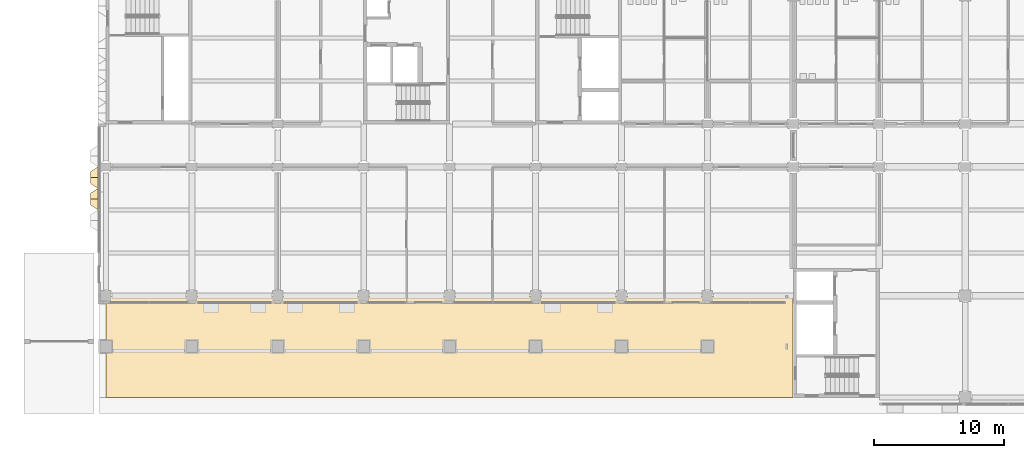
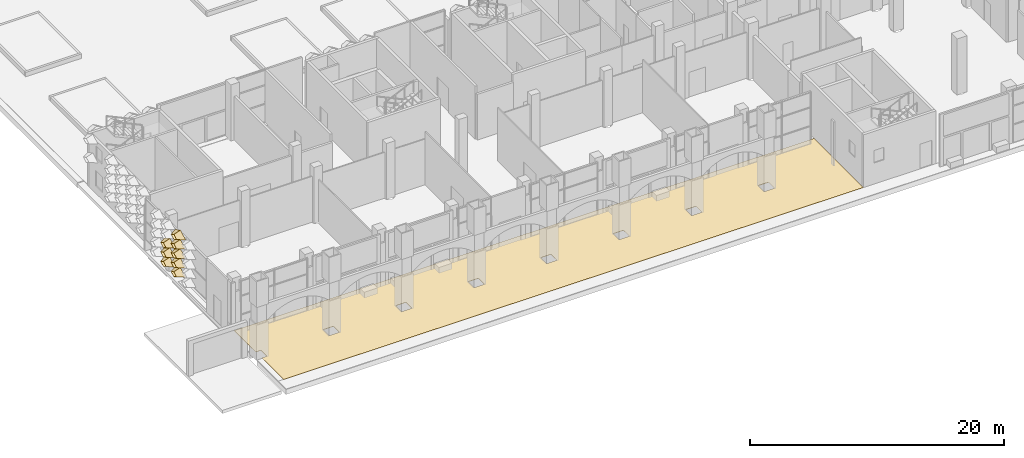
# One storey, part 45 of 85: 9 coverings.
"""IFC4 building model written with IfcOpenShell, lengths in metres."""

from ifc_helpers import new_model, entity, si_unit, direction, frame, origin, place, context, subcontext, project, spatial, polyline, outline, extrude, material, layer, layer_set, type_object, element, save


model = new_model("IFC4")

# Units and contexts
model_context = context("Model", 3, precision=1e-05, world=origin(), true_north=direction((0.0, 1.0)))
body_context = subcontext(model_context, "Body", "Model", "MODEL_VIEW")
ifc_project = project(units=[si_unit("LENGTHUNIT", "METRE"), si_unit("AREAUNIT", "SQUARE_METRE"), si_unit("VOLUMEUNIT", "CUBIC_METRE"), si_unit("PLANEANGLEUNIT", "RADIAN"), si_unit("MASSUNIT", "GRAM", prefix="KILO")], contexts=[model_context])

# Site, building, storey
site_placement = place(None, origin())
site = spatial("IfcSite", under=ifc_project, at=site_placement, CompositionType="ELEMENT")
building_placement = place(site_placement, origin())
building = spatial("IfcBuilding", under=site, at=building_placement, Name="Lantern Court Research Institute", CompositionType="ELEMENT")
storey_placement = place(building_placement, origin())
storey = spatial("IfcBuildingStorey", under=building, at=storey_placement, Name="L00", CompositionType="ELEMENT", Elevation=0.0)

# Coverings
ifc_material_1 = material(Name="Granite flags", Category="masonry")
ifc_layer_1 = layer(ifc_material_1, 0.0400390625)
ifc_layer_set_1 = layer_set([ifc_layer_1], Name="Granite flags")
covering_type_1 = type_object("IfcCoveringType", Name="Arcade paving 40 mm", PredefinedType="FLOORING", material=ifc_layer_set_1)
covering_1_placement = place(storey_placement, origin())
element("IfcCovering", 1, at=covering_1_placement, inside=storey, type_object=covering_type_1, Name="Arcade paving 1", PredefinedType="FLOORING", context=body_context, shape_type="SweptSolid", body=[
    extrude(outline(polyline([(0.0, -4.3701171875), (0.449951171875, -4.3701171875), (0.451904296875, -4.3701171875), (0.4541015625, -4.3701171875), (0.4560546875, -4.368896484375), (0.4580078125, -4.367919921875), (0.458984375, -4.367919921875), (0.4609375, -4.366943359375), (0.462890625, -4.364990234375), (0.464111328125, -4.364013671875), (0.465087890625, -4.363037109375), (0.467041015625, -4.361083984375), (0.468017578125, -4.35888671875), (0.468017578125, -4.35791015625), (0.468994140625, -4.35595703125), (0.469970703125, -4.35400390625), (0.469970703125, -4.35205078125), (0.469970703125, -4.35009765625), (0.469970703125, -3.449951171875), (0.469970703125, -3.447998046875), (0.469970703125, -3.446044921875), (0.468994140625, -3.444091796875), (0.468017578125, -3.44189453125), (0.468017578125, -3.44091796875), (0.467041015625, -3.43896484375), (0.465087890625, -3.43701171875), (0.464111328125, -3.43603515625), (0.462890625, -3.43505859375), (0.4609375, -3.43310546875), (0.458984375, -3.431884765625), (0.4580078125, -3.431884765625), (0.4560546875, -3.430908203125), (0.4541015625, -3.429931640625), (0.451904296875, -3.429931640625), (0.449951171875, -3.429931640625), (0.0, -3.429931640625), (0.0, -0.02001953125), (52.780029296875, -0.02001953125), (52.780029296875, -7.800048828125), (0.0, -7.800048828125), (0.0, -4.3701171875)]), holes=[polyline([(46.669921875, -3.449951171875), (46.669921875, -3.447998046875), (46.669921875, -3.446044921875), (46.6689453125, -3.444091796875), (46.66796875, -3.44189453125), (46.66796875, -3.44091796875), (46.6669921875, -3.43896484375), (46.6650390625, -3.43701171875), (46.6640625, -3.43603515625), (46.6630859375, -3.43505859375), (46.660888671875, -3.43310546875), (46.658935546875, -3.431884765625), (46.657958984375, -3.431884765625), (46.656005859375, -3.430908203125), (46.654052734375, -3.429931640625), (46.652099609375, -3.429931640625), (46.64990234375, -3.429931640625), (45.75, -3.429931640625), (45.748046875, -3.429931640625), (45.74609375, -3.429931640625), (45.743896484375, -3.430908203125), (45.741943359375, -3.431884765625), (45.740966796875, -3.431884765625), (45.739013671875, -3.43310546875), (45.737060546875, -3.43505859375), (45.736083984375, -3.43603515625), (45.735107421875, -3.43701171875), (45.73291015625, -3.43896484375), (45.73193359375, -3.44091796875), (45.73193359375, -3.44189453125), (45.73095703125, -3.444091796875), (45.72998046875, -3.446044921875), (45.72998046875, -3.447998046875), (45.72998046875, -3.449951171875), (45.72998046875, -4.35009765625), (45.72998046875, -4.35205078125), (45.72998046875, -4.35400390625), (45.73095703125, -4.35595703125), (45.73193359375, -4.35791015625), (45.73193359375, -4.35888671875), (45.73291015625, -4.361083984375), (45.735107421875, -4.363037109375), (45.736083984375, -4.364013671875), (45.737060546875, -4.364990234375), (45.739013671875, -4.366943359375), (45.740966796875, -4.367919921875), (45.741943359375, -4.367919921875), (45.743896484375, -4.368896484375), (45.74609375, -4.3701171875), (45.748046875, -4.3701171875), (45.75, -4.3701171875), (46.64990234375, -4.3701171875), (46.652099609375, -4.3701171875), (46.654052734375, -4.3701171875), (46.656005859375, -4.368896484375), (46.657958984375, -4.367919921875), (46.658935546875, -4.367919921875), (46.660888671875, -4.366943359375), (46.6630859375, -4.364990234375), (46.6640625, -4.364013671875), (46.6650390625, -4.363037109375), (46.6669921875, -4.361083984375), (46.66796875, -4.35888671875), (46.66796875, -4.35791015625), (46.6689453125, -4.35595703125), (46.669921875, -4.35400390625), (46.669921875, -4.35205078125), (46.669921875, -4.35009765625), (46.669921875, -3.449951171875)]), polyline([(40.070068359375, -3.449951171875), (40.070068359375, -3.447998046875), (40.070068359375, -3.446044921875), (40.069091796875, -3.444091796875), (40.068115234375, -3.44189453125), (40.068115234375, -3.44091796875), (40.06689453125, -3.43896484375), (40.06494140625, -3.43701171875), (40.06396484375, -3.43603515625), (40.06298828125, -3.43505859375), (40.06103515625, -3.43310546875), (40.05908203125, -3.431884765625), (40.05810546875, -3.431884765625), (40.055908203125, -3.430908203125), (40.053955078125, -3.429931640625), (40.052001953125, -3.429931640625), (40.050048828125, -3.429931640625), (39.14990234375, -3.429931640625), (39.14794921875, -3.429931640625), (39.14599609375, -3.429931640625), (39.14404296875, -3.430908203125), (39.14208984375, -3.431884765625), (39.14111328125, -3.431884765625), (39.138916015625, -3.43310546875), (39.136962890625, -3.43505859375), (39.135986328125, -3.43603515625), (39.135009765625, -3.43701171875), (39.133056640625, -3.43896484375), (39.132080078125, -3.44091796875), (39.132080078125, -3.44189453125), (39.131103515625, -3.444091796875), (39.1298828125, -3.446044921875), (39.1298828125, -3.447998046875), (39.1298828125, -3.449951171875), (39.1298828125, -4.35009765625), (39.1298828125, -4.35205078125), (39.1298828125, -4.35400390625), (39.131103515625, -4.35595703125), (39.132080078125, -4.35791015625), (39.132080078125, -4.35888671875), (39.133056640625, -4.361083984375), (39.135009765625, -4.363037109375), (39.135986328125, -4.364013671875), (39.136962890625, -4.364990234375), (39.138916015625, -4.366943359375), (39.14111328125, -4.367919921875), (39.14208984375, -4.367919921875), (39.14404296875, -4.368896484375), (39.14599609375, -4.3701171875), (39.14794921875, -4.3701171875), (39.14990234375, -4.3701171875), (40.050048828125, -4.3701171875), (40.052001953125, -4.3701171875), (40.053955078125, -4.3701171875), (40.055908203125, -4.368896484375), (40.05810546875, -4.367919921875), (40.05908203125, -4.367919921875), (40.06103515625, -4.366943359375), (40.06298828125, -4.364990234375), (40.06396484375, -4.364013671875), (40.06494140625, -4.363037109375), (40.06689453125, -4.361083984375), (40.068115234375, -4.35888671875), (40.068115234375, -4.35791015625), (40.069091796875, -4.35595703125), (40.070068359375, -4.35400390625), (40.070068359375, -4.35205078125), (40.070068359375, -4.35009765625), (40.070068359375, -3.449951171875)]), polyline([(33.469970703125, -3.449951171875), (33.469970703125, -3.447998046875), (33.469970703125, -3.446044921875), (33.468994140625, -3.444091796875), (33.468017578125, -3.44189453125), (33.468017578125, -3.44091796875), (33.467041015625, -3.43896484375), (33.465087890625, -3.43701171875), (33.464111328125, -3.43603515625), (33.462890625, -3.43505859375), (33.4609375, -3.43310546875), (33.458984375, -3.431884765625), (33.4580078125, -3.431884765625), (33.4560546875, -3.430908203125), (33.4541015625, -3.429931640625), (33.451904296875, -3.429931640625), (33.449951171875, -3.429931640625), (32.550048828125, -3.429931640625), (32.548095703125, -3.429931640625), (32.5458984375, -3.429931640625), (32.5439453125, -3.430908203125), (32.5419921875, -3.431884765625), (32.541015625, -3.431884765625), (32.5390625, -3.43310546875), (32.537109375, -3.43505859375), (32.535888671875, -3.43603515625), (32.534912109375, -3.43701171875), (32.532958984375, -3.43896484375), (32.531982421875, -3.44091796875), (32.531982421875, -3.44189453125), (32.531005859375, -3.444091796875), (32.530029296875, -3.446044921875), (32.530029296875, -3.447998046875), (32.530029296875, -3.449951171875), (32.530029296875, -4.35009765625), (32.530029296875, -4.35205078125), (32.530029296875, -4.35400390625), (32.531005859375, -4.35595703125), (32.531982421875, -4.35791015625), (32.531982421875, -4.35888671875), (32.532958984375, -4.361083984375), (32.534912109375, -4.363037109375), (32.535888671875, -4.364013671875), (32.537109375, -4.364990234375), (32.5390625, -4.366943359375), (32.541015625, -4.367919921875), (32.5419921875, -4.367919921875), (32.5439453125, -4.368896484375), (32.5458984375, -4.3701171875), (32.548095703125, -4.3701171875), (32.550048828125, -4.3701171875), (33.449951171875, -4.3701171875), (33.451904296875, -4.3701171875), (33.4541015625, -4.3701171875), (33.4560546875, -4.368896484375), (33.4580078125, -4.367919921875), (33.458984375, -4.367919921875), (33.4609375, -4.366943359375), (33.462890625, -4.364990234375), (33.464111328125, -4.364013671875), (33.465087890625, -4.363037109375), (33.467041015625, -4.361083984375), (33.468017578125, -4.35888671875), (33.468017578125, -4.35791015625), (33.468994140625, -4.35595703125), (33.469970703125, -4.35400390625), (33.469970703125, -4.35205078125), (33.469970703125, -4.35009765625), (33.469970703125, -3.449951171875)]), polyline([(26.8701171875, -3.449951171875), (26.8701171875, -3.447998046875), (26.8701171875, -3.446044921875), (26.868896484375, -3.444091796875), (26.867919921875, -3.44189453125), (26.867919921875, -3.44091796875), (26.866943359375, -3.43896484375), (26.864990234375, -3.43701171875), (26.864013671875, -3.43603515625), (26.863037109375, -3.43505859375), (26.861083984375, -3.43310546875), (26.85888671875, -3.431884765625), (26.85791015625, -3.431884765625), (26.85595703125, -3.430908203125), (26.85400390625, -3.429931640625), (26.85205078125, -3.429931640625), (26.85009765625, -3.429931640625), (25.949951171875, -3.429931640625), (25.947998046875, -3.429931640625), (25.946044921875, -3.429931640625), (25.944091796875, -3.430908203125), (25.94189453125, -3.431884765625), (25.94091796875, -3.431884765625), (25.93896484375, -3.43310546875), (25.93701171875, -3.43505859375), (25.93603515625, -3.43603515625), (25.93505859375, -3.43701171875), (25.93310546875, -3.43896484375), (25.931884765625, -3.44091796875), (25.931884765625, -3.44189453125), (25.930908203125, -3.444091796875), (25.929931640625, -3.446044921875), (25.929931640625, -3.447998046875), (25.929931640625, -3.449951171875), (25.929931640625, -4.35009765625), (25.929931640625, -4.35205078125), (25.929931640625, -4.35400390625), (25.930908203125, -4.35595703125), (25.931884765625, -4.35791015625), (25.931884765625, -4.35888671875), (25.93310546875, -4.361083984375), (25.93505859375, -4.363037109375), (25.93603515625, -4.364013671875), (25.93701171875, -4.364990234375), (25.93896484375, -4.366943359375), (25.94091796875, -4.367919921875), (25.94189453125, -4.367919921875), (25.944091796875, -4.368896484375), (25.946044921875, -4.3701171875), (25.947998046875, -4.3701171875), (25.949951171875, -4.3701171875), (26.85009765625, -4.3701171875), (26.85205078125, -4.3701171875), (26.85400390625, -4.3701171875), (26.85595703125, -4.368896484375), (26.85791015625, -4.367919921875), (26.85888671875, -4.367919921875), (26.861083984375, -4.366943359375), (26.863037109375, -4.364990234375), (26.864013671875, -4.364013671875), (26.864990234375, -4.363037109375), (26.866943359375, -4.361083984375), (26.867919921875, -4.35888671875), (26.867919921875, -4.35791015625), (26.868896484375, -4.35595703125), (26.8701171875, -4.35400390625), (26.8701171875, -4.35205078125), (26.8701171875, -4.35009765625), (26.8701171875, -3.449951171875)]), polyline([(20.27001953125, -3.449951171875), (20.27001953125, -3.447998046875), (20.27001953125, -3.446044921875), (20.26904296875, -3.444091796875), (20.26806640625, -3.44189453125), (20.26806640625, -3.44091796875), (20.26708984375, -3.43896484375), (20.264892578125, -3.43701171875), (20.263916015625, -3.43603515625), (20.262939453125, -3.43505859375), (20.260986328125, -3.43310546875), (20.259033203125, -3.431884765625), (20.258056640625, -3.431884765625), (20.256103515625, -3.430908203125), (20.25390625, -3.429931640625), (20.251953125, -3.429931640625), (20.25, -3.429931640625), (19.35009765625, -3.429931640625), (19.347900390625, -3.429931640625), (19.345947265625, -3.429931640625), (19.343994140625, -3.430908203125), (19.342041015625, -3.431884765625), (19.341064453125, -3.431884765625), (19.339111328125, -3.43310546875), (19.3369140625, -3.43505859375), (19.3359375, -3.43603515625), (19.3349609375, -3.43701171875), (19.3330078125, -3.43896484375), (19.33203125, -3.44091796875), (19.33203125, -3.44189453125), (19.3310546875, -3.444091796875), (19.330078125, -3.446044921875), (19.330078125, -3.447998046875), (19.330078125, -3.449951171875), (19.330078125, -4.35009765625), (19.330078125, -4.35205078125), (19.330078125, -4.35400390625), (19.3310546875, -4.35595703125), (19.33203125, -4.35791015625), (19.33203125, -4.35888671875), (19.3330078125, -4.361083984375), (19.3349609375, -4.363037109375), (19.3359375, -4.364013671875), (19.3369140625, -4.364990234375), (19.339111328125, -4.366943359375), (19.341064453125, -4.367919921875), (19.342041015625, -4.367919921875), (19.343994140625, -4.368896484375), (19.345947265625, -4.3701171875), (19.347900390625, -4.3701171875), (19.35009765625, -4.3701171875), (20.25, -4.3701171875), (20.251953125, -4.3701171875), (20.25390625, -4.3701171875), (20.256103515625, -4.368896484375), (20.258056640625, -4.367919921875), (20.259033203125, -4.367919921875), (20.260986328125, -4.366943359375), (20.262939453125, -4.364990234375), (20.263916015625, -4.364013671875), (20.264892578125, -4.363037109375), (20.26708984375, -4.361083984375), (20.26806640625, -4.35888671875), (20.26806640625, -4.35791015625), (20.26904296875, -4.35595703125), (20.27001953125, -4.35400390625), (20.27001953125, -4.35205078125), (20.27001953125, -4.35009765625), (20.27001953125, -3.449951171875)]), polyline([(13.669921875, -3.449951171875), (13.669921875, -3.447998046875), (13.669921875, -3.446044921875), (13.6689453125, -3.444091796875), (13.66796875, -3.44189453125), (13.66796875, -3.44091796875), (13.6669921875, -3.43896484375), (13.6650390625, -3.43701171875), (13.6640625, -3.43603515625), (13.6630859375, -3.43505859375), (13.660888671875, -3.43310546875), (13.658935546875, -3.431884765625), (13.657958984375, -3.431884765625), (13.656005859375, -3.430908203125), (13.654052734375, -3.429931640625), (13.652099609375, -3.429931640625), (13.64990234375, -3.429931640625), (12.75, -3.429931640625), (12.748046875, -3.429931640625), (12.74609375, -3.429931640625), (12.743896484375, -3.430908203125), (12.741943359375, -3.431884765625), (12.740966796875, -3.431884765625), (12.739013671875, -3.43310546875), (12.737060546875, -3.43505859375), (12.736083984375, -3.43603515625), (12.735107421875, -3.43701171875), (12.73291015625, -3.43896484375), (12.73193359375, -3.44091796875), (12.73193359375, -3.44189453125), (12.73095703125, -3.444091796875), (12.72998046875, -3.446044921875), (12.72998046875, -3.447998046875), (12.72998046875, -3.449951171875), (12.72998046875, -4.35009765625), (12.72998046875, -4.35205078125), (12.72998046875, -4.35400390625), (12.73095703125, -4.35595703125), (12.73193359375, -4.35791015625), (12.73193359375, -4.35888671875), (12.73291015625, -4.361083984375), (12.735107421875, -4.363037109375), (12.736083984375, -4.364013671875), (12.737060546875, -4.364990234375), (12.739013671875, -4.366943359375), (12.740966796875, -4.367919921875), (12.741943359375, -4.367919921875), (12.743896484375, -4.368896484375), (12.74609375, -4.3701171875), (12.748046875, -4.3701171875), (12.75, -4.3701171875), (13.64990234375, -4.3701171875), (13.652099609375, -4.3701171875), (13.654052734375, -4.3701171875), (13.656005859375, -4.368896484375), (13.657958984375, -4.367919921875), (13.658935546875, -4.367919921875), (13.660888671875, -4.366943359375), (13.6630859375, -4.364990234375), (13.6640625, -4.364013671875), (13.6650390625, -4.363037109375), (13.6669921875, -4.361083984375), (13.66796875, -4.35888671875), (13.66796875, -4.35791015625), (13.6689453125, -4.35595703125), (13.669921875, -4.35400390625), (13.669921875, -4.35205078125), (13.669921875, -4.35009765625), (13.669921875, -3.449951171875)]), polyline([(7.070068359375, -3.449951171875), (7.070068359375, -3.447998046875), (7.070068359375, -3.446044921875), (7.069091796875, -3.444091796875), (7.068115234375, -3.44189453125), (7.068115234375, -3.44091796875), (7.06689453125, -3.43896484375), (7.06494140625, -3.43701171875), (7.06396484375, -3.43603515625), (7.06298828125, -3.43505859375), (7.06103515625, -3.43310546875), (7.05908203125, -3.431884765625), (7.05810546875, -3.431884765625), (7.055908203125, -3.430908203125), (7.053955078125, -3.429931640625), (7.052001953125, -3.429931640625), (7.050048828125, -3.429931640625), (6.14990234375, -3.429931640625), (6.14794921875, -3.429931640625), (6.14599609375, -3.429931640625), (6.14404296875, -3.430908203125), (6.14208984375, -3.431884765625), (6.14111328125, -3.431884765625), (6.138916015625, -3.43310546875), (6.136962890625, -3.43505859375), (6.135986328125, -3.43603515625), (6.135009765625, -3.43701171875), (6.133056640625, -3.43896484375), (6.132080078125, -3.44091796875), (6.132080078125, -3.44189453125), (6.131103515625, -3.444091796875), (6.1298828125, -3.446044921875), (6.1298828125, -3.447998046875), (6.1298828125, -3.449951171875), (6.1298828125, -4.35009765625), (6.1298828125, -4.35205078125), (6.1298828125, -4.35400390625), (6.131103515625, -4.35595703125), (6.132080078125, -4.35791015625), (6.132080078125, -4.35888671875), (6.133056640625, -4.361083984375), (6.135009765625, -4.363037109375), (6.135986328125, -4.364013671875), (6.136962890625, -4.364990234375), (6.138916015625, -4.366943359375), (6.14111328125, -4.367919921875), (6.14208984375, -4.367919921875), (6.14404296875, -4.368896484375), (6.14599609375, -4.3701171875), (6.14794921875, -4.3701171875), (6.14990234375, -4.3701171875), (7.050048828125, -4.3701171875), (7.052001953125, -4.3701171875), (7.053955078125, -4.3701171875), (7.055908203125, -4.368896484375), (7.05810546875, -4.367919921875), (7.05908203125, -4.367919921875), (7.06103515625, -4.366943359375), (7.06298828125, -4.364990234375), (7.06396484375, -4.364013671875), (7.06494140625, -4.363037109375), (7.06689453125, -4.361083984375), (7.068115234375, -4.35888671875), (7.068115234375, -4.35791015625), (7.069091796875, -4.35595703125), (7.070068359375, -4.35400390625), (7.070068359375, -4.35205078125), (7.070068359375, -4.35009765625), (7.070068359375, -3.449951171875)])]), origin(), (0.0, 0.0, 1.0), 0.0400390625),
])
ifc_material_2 = material(Name="Anodised aluminium", Category="aluminium")
ifc_layer_2 = layer(ifc_material_2, 0.01611328125)
ifc_layer_set_2 = layer_set([ifc_layer_2], Name="Anodised aluminium")
covering_type_2 = type_object("IfcCoveringType", Name="Fin cassette 1650 x 900 x 600 aluminium", PredefinedType="CLADDING", material=ifc_layer_set_2)
covering_2_placement = place(storey_placement, frame((-0.60009765625, 7.425048828125, 1.35009765625), z_axis=(-1.0, 0.0, 0.0), x_axis=(0.0, -1.0, 0.0)))
cartesian_point_1 = entity("IfcCartesianPoint", [0.824951171875, 0.0])
cartesian_point_2 = entity("IfcCartesianPoint", [0.79150390625, 0.0])
cartesian_point_3 = entity("IfcCartesianPoint", [0.44189453125, 0.0])
cartesian_point_4 = entity("IfcCartesianPoint", [0.43359375, 0.0])
element("IfcCovering", 2, at=covering_2_placement, inside=storey, type_object=covering_type_2, Name="Fin cassette V4W-L00 2.5", PredefinedType="CLADDING", context=body_context, shape_type="SweptSolid", body=[
    entity("IfcExtrudedAreaSolidTapered", entity("IfcArbitraryProfileDefWithVoids", "AREA", None, entity("IfcPolyline", [cartesian_point_1, entity("IfcCartesianPoint", [0.0, 0.449951171875]), entity("IfcCartesianPoint", [-0.824951171875, 0.0]), entity("IfcCartesianPoint", [0.0, -0.449951171875]), cartesian_point_1]), [entity("IfcPolyline", [cartesian_point_2, entity("IfcCartesianPoint", [0.0, 0.431884765625]), entity("IfcCartesianPoint", [-0.79150390625, 0.0]), entity("IfcCartesianPoint", [0.0, -0.431884765625]), cartesian_point_2])]), entity("IfcAxis2Placement3D", entity("IfcCartesianPoint", [0.0, 0.0, 0.0])), entity("IfcDirection", [0.0, 0.0, 1.0]), 0.60009765625, entity("IfcArbitraryProfileDefWithVoids", "AREA", None, entity("IfcPolyline", [cartesian_point_3, entity("IfcCartesianPoint", [0.0, 0.240966796875]), entity("IfcCartesianPoint", [-0.44189453125, 0.0]), entity("IfcCartesianPoint", [0.0, -0.240966796875]), cartesian_point_3]), [entity("IfcPolyline", [cartesian_point_4, entity("IfcCartesianPoint", [0.0, 0.236572265625]), entity("IfcCartesianPoint", [-0.43359375, 0.0]), entity("IfcCartesianPoint", [0.0, -0.236572265625]), cartesian_point_4])])),
])
covering_3_placement = place(storey_placement, frame((-0.60009765625, 9.074951171875, 1.35009765625), z_axis=(-1.0, 0.0, 0.0), x_axis=(0.0, -1.0, 0.0)))
cartesian_point_5 = entity("IfcCartesianPoint", [0.824951171875, 0.0])
cartesian_point_6 = entity("IfcCartesianPoint", [0.79150390625, 0.0])
cartesian_point_7 = entity("IfcCartesianPoint", [0.44189453125, 0.0])
cartesian_point_8 = entity("IfcCartesianPoint", [0.43359375, 0.0])
element("IfcCovering", 3, at=covering_3_placement, inside=storey, type_object=covering_type_2, Name="Fin cassette V4W-L00 2.6", PredefinedType="CLADDING", context=body_context, shape_type="SweptSolid", body=[
    entity("IfcExtrudedAreaSolidTapered", entity("IfcArbitraryProfileDefWithVoids", "AREA", None, entity("IfcPolyline", [cartesian_point_5, entity("IfcCartesianPoint", [0.0, 0.449951171875]), entity("IfcCartesianPoint", [-0.824951171875, 0.0]), entity("IfcCartesianPoint", [0.0, -0.449951171875]), cartesian_point_5]), [entity("IfcPolyline", [cartesian_point_6, entity("IfcCartesianPoint", [0.0, 0.431884765625]), entity("IfcCartesianPoint", [-0.79150390625, 0.0]), entity("IfcCartesianPoint", [0.0, -0.431884765625]), cartesian_point_6])]), entity("IfcAxis2Placement3D", entity("IfcCartesianPoint", [0.0, 0.0, 0.0])), entity("IfcDirection", [0.0, 0.0, 1.0]), 0.60009765625, entity("IfcArbitraryProfileDefWithVoids", "AREA", None, entity("IfcPolyline", [cartesian_point_7, entity("IfcCartesianPoint", [0.0, 0.240966796875]), entity("IfcCartesianPoint", [-0.44189453125, 0.0]), entity("IfcCartesianPoint", [0.0, -0.240966796875]), cartesian_point_7]), [entity("IfcPolyline", [cartesian_point_8, entity("IfcCartesianPoint", [0.0, 0.236572265625]), entity("IfcCartesianPoint", [-0.43359375, 0.0]), entity("IfcCartesianPoint", [0.0, -0.236572265625]), cartesian_point_8])])),
])
covering_4_placement = place(storey_placement, frame((-0.60009765625, 7.425048828125, 2.25), z_axis=(-1.0, 0.0, 0.0), x_axis=(0.0, -1.0, 0.0)))
cartesian_point_9 = entity("IfcCartesianPoint", [0.824951171875, 0.0])
cartesian_point_10 = entity("IfcCartesianPoint", [0.79150390625, 0.0])
cartesian_point_11 = entity("IfcCartesianPoint", [0.44189453125, 0.0])
cartesian_point_12 = entity("IfcCartesianPoint", [0.43359375, 0.0])
element("IfcCovering", 4, at=covering_4_placement, inside=storey, type_object=covering_type_2, Name="Fin cassette V4W-L00 3.5", PredefinedType="CLADDING", context=body_context, shape_type="SweptSolid", body=[
    entity("IfcExtrudedAreaSolidTapered", entity("IfcArbitraryProfileDefWithVoids", "AREA", None, entity("IfcPolyline", [cartesian_point_9, entity("IfcCartesianPoint", [0.0, 0.449951171875]), entity("IfcCartesianPoint", [-0.824951171875, 0.0]), entity("IfcCartesianPoint", [0.0, -0.449951171875]), cartesian_point_9]), [entity("IfcPolyline", [cartesian_point_10, entity("IfcCartesianPoint", [0.0, 0.431884765625]), entity("IfcCartesianPoint", [-0.79150390625, 0.0]), entity("IfcCartesianPoint", [0.0, -0.431884765625]), cartesian_point_10])]), entity("IfcAxis2Placement3D", entity("IfcCartesianPoint", [0.0, 0.0, 0.0])), entity("IfcDirection", [0.0, 0.0, 1.0]), 0.60009765625, entity("IfcArbitraryProfileDefWithVoids", "AREA", None, entity("IfcPolyline", [cartesian_point_11, entity("IfcCartesianPoint", [0.0, 0.240966796875]), entity("IfcCartesianPoint", [-0.44189453125, 0.0]), entity("IfcCartesianPoint", [0.0, -0.240966796875]), cartesian_point_11]), [entity("IfcPolyline", [cartesian_point_12, entity("IfcCartesianPoint", [0.0, 0.236572265625]), entity("IfcCartesianPoint", [-0.43359375, 0.0]), entity("IfcCartesianPoint", [0.0, -0.236572265625]), cartesian_point_12])])),
])
covering_5_placement = place(storey_placement, frame((-0.60009765625, 9.074951171875, 2.25), z_axis=(-1.0, 0.0, 0.0), x_axis=(0.0, -1.0, 0.0)))
cartesian_point_13 = entity("IfcCartesianPoint", [0.824951171875, 0.0])
cartesian_point_14 = entity("IfcCartesianPoint", [0.79150390625, 0.0])
cartesian_point_15 = entity("IfcCartesianPoint", [0.44189453125, 0.0])
cartesian_point_16 = entity("IfcCartesianPoint", [0.43359375, 0.0])
element("IfcCovering", 5, at=covering_5_placement, inside=storey, type_object=covering_type_2, Name="Fin cassette V4W-L00 3.6", PredefinedType="CLADDING", context=body_context, shape_type="SweptSolid", body=[
    entity("IfcExtrudedAreaSolidTapered", entity("IfcArbitraryProfileDefWithVoids", "AREA", None, entity("IfcPolyline", [cartesian_point_13, entity("IfcCartesianPoint", [0.0, 0.449951171875]), entity("IfcCartesianPoint", [-0.824951171875, 0.0]), entity("IfcCartesianPoint", [0.0, -0.449951171875]), cartesian_point_13]), [entity("IfcPolyline", [cartesian_point_14, entity("IfcCartesianPoint", [0.0, 0.431884765625]), entity("IfcCartesianPoint", [-0.79150390625, 0.0]), entity("IfcCartesianPoint", [0.0, -0.431884765625]), cartesian_point_14])]), entity("IfcAxis2Placement3D", entity("IfcCartesianPoint", [0.0, 0.0, 0.0])), entity("IfcDirection", [0.0, 0.0, 1.0]), 0.60009765625, entity("IfcArbitraryProfileDefWithVoids", "AREA", None, entity("IfcPolyline", [cartesian_point_15, entity("IfcCartesianPoint", [0.0, 0.240966796875]), entity("IfcCartesianPoint", [-0.44189453125, 0.0]), entity("IfcCartesianPoint", [0.0, -0.240966796875]), cartesian_point_15]), [entity("IfcPolyline", [cartesian_point_16, entity("IfcCartesianPoint", [0.0, 0.236572265625]), entity("IfcCartesianPoint", [-0.43359375, 0.0]), entity("IfcCartesianPoint", [0.0, -0.236572265625]), cartesian_point_16])])),
])
covering_6_placement = place(storey_placement, frame((-0.60009765625, 7.425048828125, 3.14990234375), z_axis=(-1.0, 0.0, 0.0), x_axis=(0.0, -1.0, 0.0)))
cartesian_point_17 = entity("IfcCartesianPoint", [0.824951171875, 0.0])
cartesian_point_18 = entity("IfcCartesianPoint", [0.79150390625, 0.0])
cartesian_point_19 = entity("IfcCartesianPoint", [0.44189453125, 0.0])
cartesian_point_20 = entity("IfcCartesianPoint", [0.43359375, 0.0])
element("IfcCovering", 6, at=covering_6_placement, inside=storey, type_object=covering_type_2, Name="Fin cassette V4W-L00 4.5", PredefinedType="CLADDING", context=body_context, shape_type="SweptSolid", body=[
    entity("IfcExtrudedAreaSolidTapered", entity("IfcArbitraryProfileDefWithVoids", "AREA", None, entity("IfcPolyline", [cartesian_point_17, entity("IfcCartesianPoint", [0.0, 0.449951171875]), entity("IfcCartesianPoint", [-0.824951171875, 0.0]), entity("IfcCartesianPoint", [0.0, -0.449951171875]), cartesian_point_17]), [entity("IfcPolyline", [cartesian_point_18, entity("IfcCartesianPoint", [0.0, 0.431884765625]), entity("IfcCartesianPoint", [-0.79150390625, 0.0]), entity("IfcCartesianPoint", [0.0, -0.431884765625]), cartesian_point_18])]), entity("IfcAxis2Placement3D", entity("IfcCartesianPoint", [0.0, 0.0, 0.0])), entity("IfcDirection", [0.0, 0.0, 1.0]), 0.60009765625, entity("IfcArbitraryProfileDefWithVoids", "AREA", None, entity("IfcPolyline", [cartesian_point_19, entity("IfcCartesianPoint", [0.0, 0.240966796875]), entity("IfcCartesianPoint", [-0.44189453125, 0.0]), entity("IfcCartesianPoint", [0.0, -0.240966796875]), cartesian_point_19]), [entity("IfcPolyline", [cartesian_point_20, entity("IfcCartesianPoint", [0.0, 0.236572265625]), entity("IfcCartesianPoint", [-0.43359375, 0.0]), entity("IfcCartesianPoint", [0.0, -0.236572265625]), cartesian_point_20])])),
])
covering_7_placement = place(storey_placement, frame((-0.60009765625, 9.074951171875, 3.14990234375), z_axis=(-1.0, 0.0, 0.0), x_axis=(0.0, -1.0, 0.0)))
cartesian_point_21 = entity("IfcCartesianPoint", [0.824951171875, 0.0])
cartesian_point_22 = entity("IfcCartesianPoint", [0.79150390625, 0.0])
cartesian_point_23 = entity("IfcCartesianPoint", [0.44189453125, 0.0])
cartesian_point_24 = entity("IfcCartesianPoint", [0.43359375, 0.0])
element("IfcCovering", 7, at=covering_7_placement, inside=storey, type_object=covering_type_2, Name="Fin cassette V4W-L00 4.6", PredefinedType="CLADDING", context=body_context, shape_type="SweptSolid", body=[
    entity("IfcExtrudedAreaSolidTapered", entity("IfcArbitraryProfileDefWithVoids", "AREA", None, entity("IfcPolyline", [cartesian_point_21, entity("IfcCartesianPoint", [0.0, 0.449951171875]), entity("IfcCartesianPoint", [-0.824951171875, 0.0]), entity("IfcCartesianPoint", [0.0, -0.449951171875]), cartesian_point_21]), [entity("IfcPolyline", [cartesian_point_22, entity("IfcCartesianPoint", [0.0, 0.431884765625]), entity("IfcCartesianPoint", [-0.79150390625, 0.0]), entity("IfcCartesianPoint", [0.0, -0.431884765625]), cartesian_point_22])]), entity("IfcAxis2Placement3D", entity("IfcCartesianPoint", [0.0, 0.0, 0.0])), entity("IfcDirection", [0.0, 0.0, 1.0]), 0.60009765625, entity("IfcArbitraryProfileDefWithVoids", "AREA", None, entity("IfcPolyline", [cartesian_point_23, entity("IfcCartesianPoint", [0.0, 0.240966796875]), entity("IfcCartesianPoint", [-0.44189453125, 0.0]), entity("IfcCartesianPoint", [0.0, -0.240966796875]), cartesian_point_23]), [entity("IfcPolyline", [cartesian_point_24, entity("IfcCartesianPoint", [0.0, 0.236572265625]), entity("IfcCartesianPoint", [-0.43359375, 0.0]), entity("IfcCartesianPoint", [0.0, -0.236572265625]), cartesian_point_24])])),
])
covering_8_placement = place(storey_placement, frame((-0.60009765625, 7.425048828125, 4.050048828125), z_axis=(-1.0, 0.0, 0.0), x_axis=(0.0, -1.0, 0.0)))
cartesian_point_25 = entity("IfcCartesianPoint", [0.824951171875, 0.0])
cartesian_point_26 = entity("IfcCartesianPoint", [0.79150390625, 0.0])
cartesian_point_27 = entity("IfcCartesianPoint", [0.44189453125, 0.0])
cartesian_point_28 = entity("IfcCartesianPoint", [0.43359375, 0.0])
element("IfcCovering", 8, at=covering_8_placement, inside=storey, type_object=covering_type_2, Name="Fin cassette V4W-L00 5.5", PredefinedType="CLADDING", context=body_context, shape_type="SweptSolid", body=[
    entity("IfcExtrudedAreaSolidTapered", entity("IfcArbitraryProfileDefWithVoids", "AREA", None, entity("IfcPolyline", [cartesian_point_25, entity("IfcCartesianPoint", [0.0, 0.449951171875]), entity("IfcCartesianPoint", [-0.824951171875, 0.0]), entity("IfcCartesianPoint", [0.0, -0.449951171875]), cartesian_point_25]), [entity("IfcPolyline", [cartesian_point_26, entity("IfcCartesianPoint", [0.0, 0.431884765625]), entity("IfcCartesianPoint", [-0.79150390625, 0.0]), entity("IfcCartesianPoint", [0.0, -0.431884765625]), cartesian_point_26])]), entity("IfcAxis2Placement3D", entity("IfcCartesianPoint", [0.0, 0.0, 0.0])), entity("IfcDirection", [0.0, 0.0, 1.0]), 0.60009765625, entity("IfcArbitraryProfileDefWithVoids", "AREA", None, entity("IfcPolyline", [cartesian_point_27, entity("IfcCartesianPoint", [0.0, 0.240966796875]), entity("IfcCartesianPoint", [-0.44189453125, 0.0]), entity("IfcCartesianPoint", [0.0, -0.240966796875]), cartesian_point_27]), [entity("IfcPolyline", [cartesian_point_28, entity("IfcCartesianPoint", [0.0, 0.236572265625]), entity("IfcCartesianPoint", [-0.43359375, 0.0]), entity("IfcCartesianPoint", [0.0, -0.236572265625]), cartesian_point_28])])),
])
covering_9_placement = place(storey_placement, frame((-0.60009765625, 7.425048828125, 4.949951171875), z_axis=(-1.0, 0.0, 0.0), x_axis=(0.0, -1.0, 0.0)))
cartesian_point_29 = entity("IfcCartesianPoint", [0.824951171875, 0.0])
cartesian_point_30 = entity("IfcCartesianPoint", [0.79150390625, 0.0])
cartesian_point_31 = entity("IfcCartesianPoint", [0.44189453125, 0.0])
cartesian_point_32 = entity("IfcCartesianPoint", [0.43359375, 0.0])
element("IfcCovering", 9, at=covering_9_placement, inside=storey, type_object=covering_type_2, Name="Fin cassette V4W-L00 6.5", PredefinedType="CLADDING", context=body_context, shape_type="SweptSolid", body=[
    entity("IfcExtrudedAreaSolidTapered", entity("IfcArbitraryProfileDefWithVoids", "AREA", None, entity("IfcPolyline", [cartesian_point_29, entity("IfcCartesianPoint", [0.0, 0.449951171875]), entity("IfcCartesianPoint", [-0.824951171875, 0.0]), entity("IfcCartesianPoint", [0.0, -0.449951171875]), cartesian_point_29]), [entity("IfcPolyline", [cartesian_point_30, entity("IfcCartesianPoint", [0.0, 0.431884765625]), entity("IfcCartesianPoint", [-0.79150390625, 0.0]), entity("IfcCartesianPoint", [0.0, -0.431884765625]), cartesian_point_30])]), entity("IfcAxis2Placement3D", entity("IfcCartesianPoint", [0.0, 0.0, 0.0])), entity("IfcDirection", [0.0, 0.0, 1.0]), 0.60009765625, entity("IfcArbitraryProfileDefWithVoids", "AREA", None, entity("IfcPolyline", [cartesian_point_31, entity("IfcCartesianPoint", [0.0, 0.240966796875]), entity("IfcCartesianPoint", [-0.44189453125, 0.0]), entity("IfcCartesianPoint", [0.0, -0.240966796875]), cartesian_point_31]), [entity("IfcPolyline", [cartesian_point_32, entity("IfcCartesianPoint", [0.0, 0.236572265625]), entity("IfcCartesianPoint", [-0.43359375, 0.0]), entity("IfcCartesianPoint", [0.0, -0.236572265625]), cartesian_point_32])])),
])

save(model, "model.ifc")
